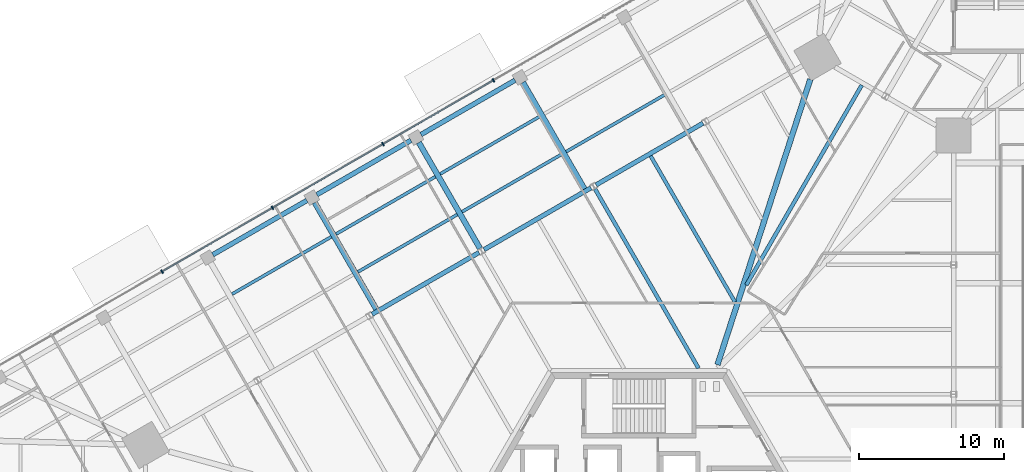
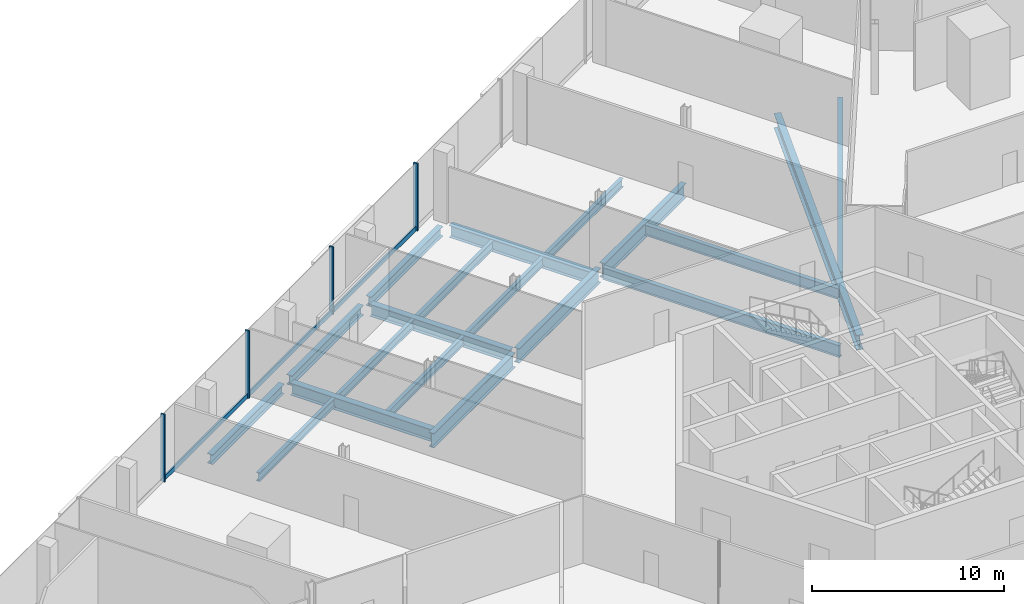
# One storey, part 13 of 27: 19 beams, 7 members, 1 element without a shape of its own.
"""IFC4 building model written with IfcOpenShell, lengths in metres."""

from ifc_helpers import new_model, si_unit, direction, frame, origin, origin_2d, place, context, subcontext, project, spatial, rectangle, i_section, extrude, source, transform, mapped, material, material_profile, profile_set, type_object, element, aggregate, save


model = new_model("IFC4")

# Units and contexts
model_context = context("Model", 3, precision=1e-05, world=origin(), true_north=direction((0.0, 1.0)))
body_context = subcontext(model_context, "Body", "Model", "MODEL_VIEW")
ifc_project = project(units=[si_unit("LENGTHUNIT", "METRE"), si_unit("AREAUNIT", "SQUARE_METRE"), si_unit("VOLUMEUNIT", "CUBIC_METRE"), si_unit("PLANEANGLEUNIT", "RADIAN"), si_unit("MASSUNIT", "GRAM", prefix="KILO")], contexts=[model_context])

# Site, building, storey
site_placement = place(None, origin())
site = spatial("IfcSite", under=ifc_project, at=site_placement, CompositionType="ELEMENT")
building_placement = place(site_placement, origin())
building = spatial("IfcBuilding", under=site, at=building_placement, Name="Triune Harvest Tower", CompositionType="ELEMENT")
storey_placement = place(building_placement, frame((0.0, 0.0, 7.0)))
storey = spatial("IfcBuildingStorey", under=building, at=storey_placement, Name="L01", CompositionType="ELEMENT", Elevation=7.0)

# Beams
ifc_material_1 = material(Name="Steel ASTM A992 Gr 50", Category="steel")
ifc_material_profile_1 = material_profile(ifc_material_1, i_section(OverallWidth=0.309814453125, OverallDepth=0.93212890625, WebThickness=0.02099609375, FlangeThickness=0.034423828125, at=origin_2d()), Name="W36x210")
ifc_profile_set_1 = profile_set([ifc_material_profile_1], Name="Steel ASTM A992 Gr 50")
beam_type_1 = type_object("IfcBeamType", Name="SB-3 Spandrel beam W36x210", PredefinedType="SPANDREL", material=ifc_profile_set_1)
shared_shape_1 = source(origin(), body_context, "Body", "SweptSolid", [
    extrude(i_section(OverallWidth=0.309814453125, OverallDepth=0.93212890625, WebThickness=0.02099609375, FlangeThickness=0.034423828125, at=origin_2d()), origin(), (0.0, 0.0, 1.0), 8.506103515625),
])
for number, where, z_axis, x_axis, name in (
    (1, (4.41796875, 27.583984375, -0.666015625), (-0.866030246746, -0.49999161165, 0.0), (0.49999161165, -0.866030246746, 0.0), "beam/L01/SB10"),
    (2, (-3.29833984375, 23.12890625, -0.666015625), (-0.866030246746, -0.49999161165, 0.0), (0.49999161165, -0.866030246746, 0.0), "beam/L01/SB11"),
    (3, (-11.0146484375, 18.674072265625, -0.666015625), (-0.866017818397, -0.500013138047, 0.0), (0.500013138047, -0.866017818397, 0.0), "beam/L01/SB12"),
):
    element("IfcBeam", number, at=place(storey_placement, frame(where, z_axis=z_axis, x_axis=x_axis)), inside=storey, type_object=beam_type_1, Name=name, PredefinedType="SPANDREL", context=body_context, shape_type="MappedRepresentation", body=[
        mapped(shared_shape_1, transform((0.0, 0.0, 0.0), scale=1.0)),
    ])
ifc_material_2 = material(Name="Steel ASTM A992 Gr 50", Category="steel")
ifc_material_profile_2 = material_profile(ifc_material_2, i_section(OverallWidth=0.383544921875, OverallDepth=0.9423828125, WebThickness=0.022216796875, FlangeThickness=0.039794921875, at=origin_2d()), Name="W36x232")
ifc_profile_set_2 = profile_set([ifc_material_profile_2], Name="Steel ASTM A992 Gr 50")
beam_type_2 = type_object("IfcBeamType", Name="HG-1 Hip girder W36x232", PredefinedType="BEAM", material=ifc_profile_set_2)
shared_shape_2 = source(origin(), body_context, "Body", "SweptSolid", [
    extrude(i_section(OverallWidth=0.383544921875, OverallDepth=0.9423828125, WebThickness=0.022216796875, FlangeThickness=0.039794921875, at=origin_2d()), origin(), (0.0, 0.0, 1.0), 20.676025390625),
])
beam_1_placement = place(storey_placement, frame((11.809814453125, 30.6044921875, -0.671142578125), z_axis=(-0.309191000288, -0.950999960747, 0.0), x_axis=(0.950999960747, -0.309191000288, 0.0)))
element("IfcBeam", 4, at=beam_1_placement, inside=storey, type_object=beam_type_2, Name="beam/L01/HG3", PredefinedType="BEAM", context=body_context, shape_type="MappedRepresentation", body=[
    mapped(shared_shape_2, transform((0.0, 0.0, 0.0), scale=1.0)),
])
ifc_material_3 = material(Name="Steel ASTM A992 Gr 50", Category="steel")
ifc_material_profile_3 = material_profile(ifc_material_3, i_section(OverallWidth=0.2666015625, OverallDepth=0.7568359375, WebThickness=0.013916015625, FlangeThickness=0.019287109375, at=origin_2d()), Name="W30x108")
ifc_profile_set_3 = profile_set([ifc_material_profile_3], Name="Steel ASTM A992 Gr 50")
beam_type_3 = type_object("IfcBeamType", Name="JT-5 Floor joist W30x108", PredefinedType="JOIST", material=ifc_profile_set_3)
shared_shape_3 = source(origin(), body_context, "Body", "SweptSolid", [
    extrude(i_section(OverallWidth=0.2666015625, OverallDepth=0.7568359375, WebThickness=0.013916015625, FlangeThickness=0.019287109375, at=origin_2d()), origin(), (0.0, 0.0, 1.0), 14.2685546875),
])
beam_2_placement = place(storey_placement, frame((-3.02197265625, 23.053955078125, -0.57861328125), z_axis=(0.499999916269, -0.866025452127, 0.0), x_axis=(0.866025452127, 0.499999916269, 0.0)))
element("IfcBeam", 5, at=beam_2_placement, inside=storey, type_object=beam_type_3, Name="beam/L01/JT17", PredefinedType="JOIST", context=body_context, shape_type="MappedRepresentation", body=[
    mapped(shared_shape_3, transform((0.0, 0.0, 0.0), scale=1.0)),
])
shared_shape_4 = source(origin(), body_context, "Body", "SweptSolid", [
    extrude(i_section(OverallWidth=0.2666015625, OverallDepth=0.7568359375, WebThickness=0.013916015625, FlangeThickness=0.019287109375, at=origin_2d()), origin(), (0.0, 0.0, 1.0), 15.905029296875),
])
beam_3_placement = place(storey_placement, frame((15.35498046875, 30.202392578125, -0.57861328125), z_axis=(-0.499993957816, -0.866028892213, 0.0), x_axis=(0.866028892213, -0.499993957816, 0.0)))
element("IfcBeam", 6, at=beam_3_placement, inside=storey, type_object=beam_type_3, Name="beam/L01/JT13", PredefinedType="JOIST", context=body_context, shape_type="MappedRepresentation", body=[
    mapped(shared_shape_4, transform((0.0, 0.0, 0.0), scale=1.0)),
])
ifc_material_4 = material(Name="Steel ASTM A992 Gr 50", Category="steel")
ifc_material_profile_4 = material_profile(ifc_material_4, i_section(OverallWidth=0.253662109375, OverallDepth=0.683349609375, WebThickness=0.012451171875, FlangeThickness=0.01904296875, at=origin_2d()), Name="W27x94")
ifc_profile_set_4 = profile_set([ifc_material_profile_4], Name="Steel ASTM A992 Gr 50")
beam_type_4 = type_object("IfcBeamType", Name="JT-4 Floor joist W27x94", PredefinedType="JOIST", material=ifc_profile_set_4)
shared_shape_5 = source(origin(), body_context, "Body", "SweptSolid", [
    extrude(i_section(OverallWidth=0.253662109375, OverallDepth=0.683349609375, WebThickness=0.012451171875, FlangeThickness=0.01904296875, at=origin_2d()), origin(), (0.0, 0.0, 1.0), 11.616455078125),
])
beam_4_placement = place(storey_placement, frame((0.81201171875, 25.3232421875, -0.54150390625), z_axis=(0.500011109571, -0.866018989576, 0.0), x_axis=(0.866018989576, 0.500011109571, 0.0)))
element("IfcBeam", 7, at=beam_4_placement, inside=storey, type_object=beam_type_4, Name="beam/L01/JT16", PredefinedType="JOIST", context=body_context, shape_type="MappedRepresentation", body=[
    mapped(shared_shape_5, transform((0.0, 0.0, 0.0), scale=1.0)),
])
ifc_material_5 = material(Name="Steel ASTM A992 Gr 50", Category="steel")
ifc_material_profile_5 = material_profile(ifc_material_5, i_section(OverallWidth=0.32763671875, OverallDepth=0.62744140625, WebThickness=0.0166015625, FlangeThickness=0.027587890625, at=origin_2d()), Name="W24x146")
ifc_profile_set_5 = profile_set([ifc_material_profile_5], Name="Steel ASTM A992 Gr 50")
beam_type_5 = type_object("IfcBeamType", Name="PD-4 Podium edge beam W24x146", PredefinedType="BEAM", material=ifc_profile_set_5)
shared_shape_6 = source(origin(), body_context, "Body", "SweptSolid", [
    extrude(i_section(OverallWidth=0.32763671875, OverallDepth=0.62744140625, WebThickness=0.0166015625, FlangeThickness=0.027587890625, at=origin_2d()), origin(), (0.0, 0.0, 1.0), 7.47998046875),
])
beam_5_placement = place(storey_placement, frame((-8.533203125, 30.5400390625, -0.513671875), z_axis=(-0.866023067432, -0.500004046659, 0.0), x_axis=(0.500004046659, -0.866023067432, 0.0)))
element("IfcBeam", 8, at=beam_5_placement, inside=storey, type_object=beam_type_5, Name="beam/L01/PE18", PredefinedType="BEAM", context=body_context, shape_type="MappedRepresentation", body=[
    mapped(shared_shape_6, transform((0.0, 0.0, 0.0), scale=1.0)),
])
shared_shape_7 = source(origin(), body_context, "Body", "SweptSolid", [
    extrude(i_section(OverallWidth=0.32763671875, OverallDepth=0.62744140625, WebThickness=0.0166015625, FlangeThickness=0.027587890625, at=origin_2d()), origin(), (0.0, 0.0, 1.0), 7.480224609375),
])
for number, where, z_axis, x_axis, name in (
    (9, (-15.703857421875, 26.39990234375, -0.513671875), (-0.866031227086, -0.49998991361, 0.0), (0.49998991361, -0.866031227086, 0.0), "beam/L01/PE19"),
    (10, (-22.87451171875, 22.260009765625, -0.513671875), (-0.866031227086, -0.49998991361, 0.0), (0.49998991361, -0.866031227086, 0.0), "beam/L01/PE20"),
):
    element("IfcBeam", number, at=place(storey_placement, frame(where, z_axis=z_axis, x_axis=x_axis)), inside=storey, type_object=beam_type_5, Name=name, PredefinedType="BEAM", context=body_context, shape_type="MappedRepresentation", body=[
        mapped(shared_shape_7, transform((0.0, 0.0, 0.0), scale=1.0)),
    ])
ifc_material_6 = material(Name="Steel ASTM A992 Gr 50", Category="steel")
ifc_material_profile_6 = material_profile(ifc_material_6, i_section(OverallWidth=0.381103515625, OverallDepth=0.772216796875, WebThickness=0.0166015625, FlangeThickness=0.027099609375, at=origin_2d()), Name="W30x173")
ifc_profile_set_6 = profile_set([ifc_material_profile_6], Name="Steel ASTM A992 Gr 50")
beam_type_6 = type_object("IfcBeamType", Name="PD-3 Podium girder W30x173", PredefinedType="BEAM", material=ifc_profile_set_6)
shared_shape_8 = source(origin(), body_context, "Body", "SweptSolid", [
    extrude(i_section(OverallWidth=0.381103515625, OverallDepth=0.772216796875, WebThickness=0.0166015625, FlangeThickness=0.027099609375, at=origin_2d()), origin(), (0.0, 0.0, 1.0), 8.432373046875),
])
beam_6_placement = place(storey_placement, frame((-15.157470703125, 26.253662109375, -0.586181640625), z_axis=(0.49998477255, -0.866034195178, 0.0), x_axis=(0.866034195178, 0.49998477255, 0.0)))
element("IfcBeam", 11, at=beam_6_placement, inside=storey, type_object=beam_type_6, Name="beam/L01/PR21", PredefinedType="BEAM", context=body_context, shape_type="MappedRepresentation", body=[
    mapped(shared_shape_8, transform((0.0, 0.0, 0.0), scale=1.0)),
])
shared_shape_9 = source(origin(), body_context, "Body", "SweptSolid", [
    extrude(i_section(OverallWidth=0.381103515625, OverallDepth=0.772216796875, WebThickness=0.0166015625, FlangeThickness=0.027099609375, at=origin_2d()), origin(), (0.0, 0.0, 1.0), 8.48046875),
])
for number, where, z_axis, x_axis, name in (
    (12, (-7.98681640625, 30.3935546875, -0.586181640625), (0.500003221507, -0.866023543838, 0.0), (0.866023543838, 0.500003221507, 0.0), "beam/L01/PR20"),
    (13, (-22.328125, 22.113525390625, -0.586181640625), (0.500003221507, -0.866023543838, 0.0), (0.866023543838, 0.500003221507, 0.0), "beam/L01/PR22"),
):
    element("IfcBeam", number, at=place(storey_placement, frame(where, z_axis=z_axis, x_axis=x_axis)), inside=storey, type_object=beam_type_6, Name=name, PredefinedType="BEAM", context=body_context, shape_type="MappedRepresentation", body=[
        mapped(shared_shape_9, transform((0.0, 0.0, 0.0), scale=1.0)),
    ])
ifc_material_7 = material(Name="Steel ASTM A992 Gr 50", Category="steel")
ifc_material_profile_7 = material_profile(ifc_material_7, i_section(OverallWidth=0.2138671875, OverallDepth=0.548583984375, WebThickness=0.0146484375, FlangeThickness=0.023681640625, at=origin_2d()), Name="W21x93")
ifc_profile_set_7 = profile_set([ifc_material_profile_7], Name="Steel ASTM A992 Gr 50")
beam_type_7 = type_object("IfcBeamType", Name="PD-5 Podium joist W21x93", PredefinedType="JOIST", material=ifc_profile_set_7)
shared_shape_10 = source(origin(), body_context, "Body", "SweptSolid", [
    extrude(i_section(OverallWidth=0.2138671875, OverallDepth=0.548583984375, WebThickness=0.0146484375, FlangeThickness=0.023681640625, at=origin_2d()), origin(), (0.0, 0.0, 1.0), 7.89892578125),
])
for number, where, z_axis, x_axis, name in (
    (14, (-6.845947265625, 28.036376953125, -0.474365234375), (-0.866022421773, -0.50000516496, 0.0), (0.50000516496, -0.866022421773, 0.0), "beam/L01/PJ37"),
    (15, (-5.340087890625, 25.427978515625, -0.474365234375), (-0.866022421773, -0.50000516496, 0.0), (0.50000516496, -0.866022421773, 0.0), "beam/L01/PJ38"),
):
    element("IfcBeam", number, at=place(storey_placement, frame(where, z_axis=z_axis, x_axis=x_axis)), inside=storey, type_object=beam_type_7, Name=name, PredefinedType="JOIST", context=body_context, shape_type="MappedRepresentation", body=[
        mapped(shared_shape_10, transform((0.0, 0.0, 0.0), scale=1.0)),
    ])
shared_shape_11 = source(origin(), body_context, "Body", "SweptSolid", [
    extrude(i_section(OverallWidth=0.2138671875, OverallDepth=0.548583984375, WebThickness=0.0146484375, FlangeThickness=0.023681640625, at=origin_2d()), origin(), (0.0, 0.0, 1.0), 7.899169921875),
])
for number, where, z_axis, x_axis, name in (
    (16, (1.830810546875, 29.568115234375, -0.474365234375), (-0.866030148722, -0.499991781437, 0.0), (0.499991781437, -0.866030148722, 0.0), "beam/L01/PJ36"),
    (17, (-14.0166015625, 23.896484375, -0.474365234375), (-0.866030148722, -0.499991781437, 0.0), (0.499991781437, -0.866030148722, 0.0), "beam/L01/PJ39"),
    (18, (-12.510498046875, 21.2880859375, -0.474365234375), (-0.866030148722, -0.499991781437, 0.0), (0.499991781437, -0.866030148722, 0.0), "beam/L01/PJ40"),
    (19, (-21.187255859375, 19.75634765625, -0.474365234375), (-0.866030148722, -0.499991781437, 0.0), (0.499991781437, -0.866030148722, 0.0), "beam/L01/PJ41"),
):
    element("IfcBeam", number, at=place(storey_placement, frame(where, z_axis=z_axis, x_axis=x_axis)), inside=storey, type_object=beam_type_7, Name=name, PredefinedType="JOIST", context=body_context, shape_type="MappedRepresentation", body=[
        mapped(shared_shape_11, transform((0.0, 0.0, 0.0), scale=1.0)),
    ])

# Curtain wall, members
ifc_material_8 = material(Name="Aluminium bronze anodised", Category="aluminium")
curtain_wall_type = type_object("IfcCurtainWallType", Name="CW-2 Podium shopfront wall", PredefinedType="NOTDEFINED", material=ifc_material_8)
curtain_wall_placement = place(storey_placement, origin())
curtain_wall = element("IfcCurtainWall", 20, at=curtain_wall_placement, inside=storey, type_object=curtain_wall_type, Name="CW-2 PD-F3 L01 run 1")
ifc_material_9 = material(Name="Aluminium bronze anodised", Category="aluminium")
ifc_material_profile_8 = material_profile(ifc_material_9, rectangle(XDim=0.25, YDim=0.090087890625, at=origin_2d()), Name="MU-2 mullion 90 x 250")
ifc_profile_set_8 = profile_set([ifc_material_profile_8], Name="Aluminium bronze anodised")
member_type_1 = type_object("IfcMemberType", Name="MU-2 mullion 90 x 250", PredefinedType="MULLION", material=ifc_profile_set_8)
shared_shape_12 = source(origin(), body_context, "Body", "SweptSolid", [
    extrude(rectangle(XDim=0.25, YDim=0.090087890625, at=origin_2d()), origin(), (0.0, 0.0, 1.0), 4.300048828125),
])
member_1_placement = place(storey_placement, frame((-10.02001953125, 30.53515625, 0.0), z_axis=(0.0, 0.0, 1.0), x_axis=(0.500000221117, -0.866025276122, 0.0)))
member_1 = element("IfcMember", 21, at=member_1_placement, type_object=member_type_1, Name="CW-2 mullion PD-F3 1.9", PredefinedType="MULLION", context=body_context, shape_type="MappedRepresentation", body=[
    mapped(shared_shape_12, transform((0.0, 0.0, 0.0), scale=1.0)),
])
member_2_placement = place(storey_placement, frame((-17.629638671875, 26.141845703125, 0.0), z_axis=(0.0, 0.0, 1.0), x_axis=(0.500000221117, -0.866025276122, 0.0)))
member_2 = element("IfcMember", 22, at=member_2_placement, type_object=member_type_1, Name="CW-2 mullion PD-F3 1.11", PredefinedType="MULLION", context=body_context, shape_type="MappedRepresentation", body=[
    mapped(shared_shape_12, transform((0.0, 0.0, 0.0), scale=1.0)),
])
member_3_placement = place(storey_placement, frame((-25.239013671875, 21.74853515625, 0.0), z_axis=(0.0, 0.0, 1.0), x_axis=(0.500000221117, -0.866025276122, 0.0)))
member_3 = element("IfcMember", 23, at=member_3_placement, type_object=member_type_1, Name="CW-2 mullion PD-F3 1.13", PredefinedType="MULLION", context=body_context, shape_type="MappedRepresentation", body=[
    mapped(shared_shape_12, transform((0.0, 0.0, 0.0), scale=1.0)),
])
member_4_placement = place(storey_placement, frame((-32.8486328125, 17.355224609375, 0.0), z_axis=(0.0, 0.0, 1.0), x_axis=(0.500000221117, -0.866025276122, 0.0)))
member_4 = element("IfcMember", 24, at=member_4_placement, type_object=member_type_1, Name="CW-2 mullion PD-F3 1.15", PredefinedType="MULLION", context=body_context, shape_type="MappedRepresentation", body=[
    mapped(shared_shape_12, transform((0.0, 0.0, 0.0), scale=1.0)),
])
ifc_material_10 = material(Name="Aluminium bronze anodised", Category="aluminium")
ifc_material_profile_9 = material_profile(ifc_material_10, rectangle(XDim=0.10009765625, YDim=0.300048828125, at=origin_2d()), Name="TR-2 transom 100 x 300")
ifc_profile_set_9 = profile_set([ifc_material_profile_9], Name="Aluminium bronze anodised")
member_type_2 = type_object("IfcMemberType", Name="TR-2 transom 100 x 300", PredefinedType="USERDEFINED", material=ifc_profile_set_9)
shared_shape_13 = source(origin(), body_context, "Body", "SweptSolid", [
    extrude(rectangle(XDim=0.10009765625, YDim=0.300048828125, at=origin_2d()), origin(), (0.0, 0.0, 1.0), 8.69677734375),
])
member_5_placement = place(storey_placement, frame((-10.05908203125, 30.5126953125, 0.14990234375), z_axis=(-0.86602149507, -0.500006770031, 0.0), x_axis=(0.500006770031, -0.86602149507, 0.0)))
member_5 = element("IfcMember", 25, at=member_5_placement, type_object=member_type_2, Name="CW-2 transom PD-F3 1.5", ObjectType="TRANSOM", PredefinedType="USERDEFINED", context=body_context, shape_type="MappedRepresentation", body=[
    mapped(shared_shape_13, transform((0.0, 0.0, 0.0), scale=1.0)),
])
member_6_placement = place(storey_placement, frame((-17.66845703125, 26.119384765625, 0.14990234375), z_axis=(-0.86602149507, -0.500006770031, 0.0), x_axis=(0.500006770031, -0.86602149507, 0.0)))
member_6 = element("IfcMember", 26, at=member_6_placement, type_object=member_type_2, Name="CW-2 transom PD-F3 1.6", ObjectType="TRANSOM", PredefinedType="USERDEFINED", context=body_context, shape_type="MappedRepresentation", body=[
    mapped(shared_shape_13, transform((0.0, 0.0, 0.0), scale=1.0)),
])
member_7_placement = place(storey_placement, frame((-25.278076171875, 21.72607421875, 0.14990234375), z_axis=(-0.86602149507, -0.500006770031, 0.0), x_axis=(0.500006770031, -0.86602149507, 0.0)))
member_7 = element("IfcMember", 27, at=member_7_placement, type_object=member_type_2, Name="CW-2 transom PD-F3 1.7", ObjectType="TRANSOM", PredefinedType="USERDEFINED", context=body_context, shape_type="MappedRepresentation", body=[
    mapped(shared_shape_13, transform((0.0, 0.0, 0.0), scale=1.0)),
])
aggregate(curtain_wall, [member_1, member_2, member_3, member_4, member_5, member_6, member_7])

save(model, "model.ifc")
